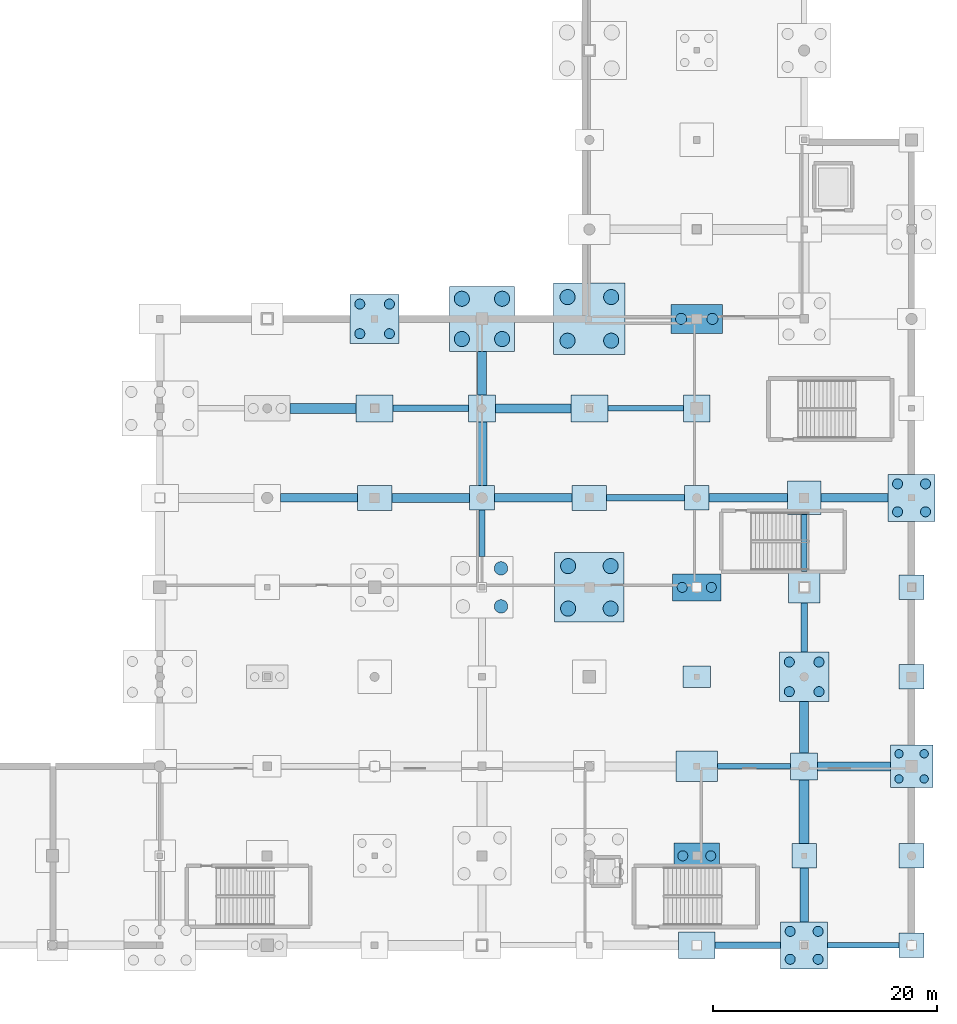
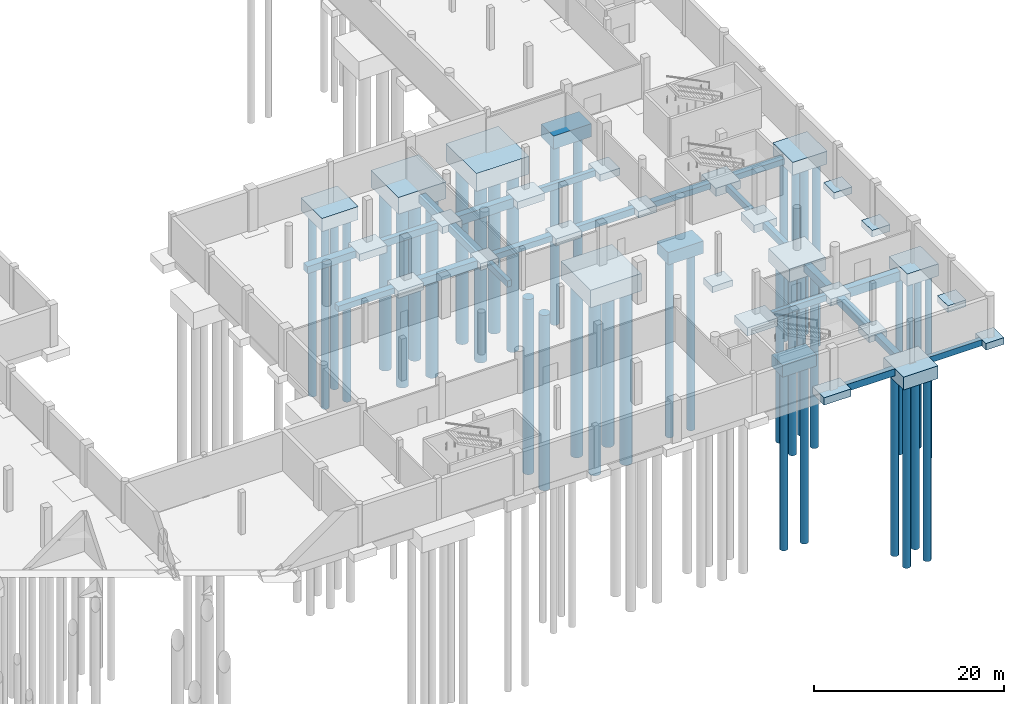
# One storey, part 11 of 44: 52 footings, 40 piles.
"""IFC4 building model written with IfcOpenShell, lengths in metres."""

from ifc_helpers import new_model, si_unit, direction, frame, origin, origin_2d, place, context, subcontext, project, spatial, rectangle, circle, extrude, material, material_profile, profile_set, type_object, element, save


model = new_model("IFC4")

# Units and contexts
model_context = context("Model", 3, precision=1e-05, world=origin(), true_north=direction((0.0, 1.0)))
body_context = subcontext(model_context, "Body", "Model", "MODEL_VIEW")
ifc_project = project(units=[si_unit("LENGTHUNIT", "METRE"), si_unit("AREAUNIT", "SQUARE_METRE"), si_unit("VOLUMEUNIT", "CUBIC_METRE"), si_unit("PLANEANGLEUNIT", "RADIAN"), si_unit("MASSUNIT", "GRAM", prefix="KILO")], contexts=[model_context])

# Site, building, storey
site_placement = place(None, origin())
site = spatial("IfcSite", under=ifc_project, at=site_placement, CompositionType="ELEMENT")
building_placement = place(site_placement, origin())
building = spatial("IfcBuilding", under=site, at=building_placement, Name="Danafjord Basin Convention Centre", CompositionType="ELEMENT")
storey_placement = place(building_placement, frame((0.0, 0.0, -5.39990234375)))
storey = spatial("IfcBuildingStorey", under=building, at=storey_placement, Name="B1", CompositionType="ELEMENT", Elevation=-5.39990234375)

# Footings
ifc_material_1 = material(Name="Concrete C40/50", Category="concrete")
footing_type_1 = type_object("IfcFootingType", Name="CAP-PC-03", PredefinedType="PILE_CAP", material=ifc_material_1)
footing_1_placement = place(storey_placement, frame((192.0, 16.0, -2.10009765625), z_axis=(0.0, 0.0, 1.0), x_axis=(1.0, 0.0, 0.0)))
element("IfcFooting", 1, at=footing_1_placement, inside=storey, type_object=footing_type_1, Name="B1 pile cap PC-03 at (192.0, 16.0)", PredefinedType="PILE_CAP", context=body_context, shape_type="SweptSolid", body=[
    extrude(rectangle(XDim=4.10009765625, YDim=2.300048828125, at=origin_2d()), origin(), (0.0, 0.0, 1.0), 1.550048828125),
])
footing_type_2 = type_object("IfcFootingType", Name="CAP-PC-04", PredefinedType="PILE_CAP", material=ifc_material_1)
footing_2_placement = place(storey_placement, frame((192.0, 40.0, -2.150146484375), z_axis=(0.0, 0.0, 1.0), x_axis=(1.0, 0.0, 0.0)))
element("IfcFooting", 2, at=footing_2_placement, inside=storey, type_object=footing_type_2, Name="B1 pile cap PC-04 at (192.0, 40.0)", PredefinedType="PILE_CAP", context=body_context, shape_type="SweptSolid", body=[
    extrude(rectangle(XDim=4.300048828125, YDim=2.39990234375, at=origin_2d()), origin(), (0.0, 0.0, 1.0), 1.60009765625),
])
footing_type_3 = type_object("IfcFootingType", Name="CAP-PC-05", PredefinedType="PILE_CAP", material=ifc_material_1)
footing_3_placement = place(storey_placement, frame((192.0, 64.0, -1.7001953125), z_axis=(0.0, 0.0, 1.0), x_axis=(1.0, 0.0, 0.0)))
element("IfcFooting", 3, at=footing_3_placement, inside=storey, type_object=footing_type_3, Name="B1 pile cap PC-05 at (192.0, 64.0)", PredefinedType="PILE_CAP", context=body_context, shape_type="SweptSolid", body=[
    extrude(rectangle(XDim=4.60009765625, YDim=2.60009765625, at=origin_2d()), origin(), (0.0, 0.0, 1.0), 1.699951171875),
])
footing_type_4 = type_object("IfcFootingType", Name="CAP-PC-07", PredefinedType="PILE_CAP", material=ifc_material_1)
footing_4_placement = place(storey_placement, frame((211.199951171875, 24.0, -1.55029296875), z_axis=(0.0, 0.0, 1.0), x_axis=(1.0, 0.0, 0.0)))
element("IfcFooting", 4, at=footing_4_placement, inside=storey, type_object=footing_type_4, Name="B1 pile cap PC-07 at (211.2, 24.0)", PredefinedType="PILE_CAP", context=body_context, shape_type="SweptSolid", body=[
    extrude(rectangle(XDim=3.800048828125, YDim=3.800048828125, at=origin_2d()), origin(), (0.0, 0.0, 1.0), 1.550048828125),
])
footing_type_5 = type_object("IfcFootingType", Name="CAP-PC-08", PredefinedType="PILE_CAP", material=ifc_material_1)
for number, where, z_axis, x_axis, name in (
    (5, (201.60009765625, 8.0, -1.650146484375), (0.0, 0.0, 1.0), (1.0, 0.0, 0.0), "B1 pile cap PC-08 at (201.6, 8.0)"),
    (6, (211.199951171875, 48.0, -1.650146484375), (0.0, 0.0, 1.0), (1.0, 0.0, 0.0), "B1 pile cap PC-08 at (211.2, 48.0)"),
):
    element("IfcFooting", number, at=place(storey_placement, frame(where, z_axis=z_axis, x_axis=x_axis)), inside=storey, type_object=footing_type_5, Name=name, PredefinedType="PILE_CAP", context=body_context, shape_type="SweptSolid", body=[
        extrude(rectangle(XDim=4.199951171875, YDim=4.199951171875, at=origin_2d()), origin(), (0.0, 0.0, 1.0), 1.64990234375),
    ])
footing_type_6 = type_object("IfcFootingType", Name="CAP-PC-09", PredefinedType="PILE_CAP", material=ifc_material_1)
for number, where, z_axis, x_axis, name in (
    (7, (163.199951171875, 64.0, -1.7001953125), (0.0, 0.0, 1.0), (1.0, 0.0, 0.0), "B1 pile cap PC-09 at (163.2, 64.0)"),
    (8, (201.60009765625, 32.0, -2.25), (0.0, 0.0, 1.0), (1.0, 0.0, 0.0), "B1 pile cap PC-09 at (201.6, 32.0)"),
):
    element("IfcFooting", number, at=place(storey_placement, frame(where, z_axis=z_axis, x_axis=x_axis)), inside=storey, type_object=footing_type_6, Name=name, PredefinedType="PILE_CAP", context=body_context, shape_type="SweptSolid", body=[
        extrude(rectangle(XDim=4.39990234375, YDim=4.39990234375, at=origin_2d()), origin(), (0.0, 0.0, 1.0), 1.699951171875),
    ])
footing_type_7 = type_object("IfcFootingType", Name="CAP-PC-15", PredefinedType="PILE_CAP", material=ifc_material_1)
footing_5_placement = place(storey_placement, frame((172.800048828125, 64.0, -2.150146484375), z_axis=(0.0, 0.0, 1.0), x_axis=(1.0, 0.0, 0.0)))
element("IfcFooting", 9, at=footing_5_placement, inside=storey, type_object=footing_type_7, Name="B1 pile cap PC-15 at (172.8, 64.0)", PredefinedType="PILE_CAP", context=body_context, shape_type="SweptSolid", body=[
    extrude(rectangle(XDim=5.800048828125, YDim=5.800048828125, at=origin_2d()), origin(), (0.0, 0.0, 1.0), 2.14990234375),
])
footing_type_8 = type_object("IfcFootingType", Name="CAP-PC-20", PredefinedType="PILE_CAP", material=ifc_material_1)
footing_6_placement = place(storey_placement, frame((182.39990234375, 40.0, -2.800048828125), z_axis=(0.0, 0.0, 1.0), x_axis=(1.0, 0.0, 0.0)))
element("IfcFooting", 10, at=footing_6_placement, inside=storey, type_object=footing_type_8, Name="B1 pile cap PC-20 at (182.4, 40.0)", PredefinedType="PILE_CAP", context=body_context, shape_type="SweptSolid", body=[
    extrude(rectangle(XDim=6.199951171875, YDim=6.199951171875, at=origin_2d()), origin(), (0.0, 0.0, 1.0), 2.25),
])
footing_type_9 = type_object("IfcFootingType", Name="CAP-PC-21", PredefinedType="PILE_CAP", material=ifc_material_1)
footing_7_placement = place(storey_placement, frame((182.39990234375, 64.0, -2.30029296875), z_axis=(0.0, 0.0, 1.0), x_axis=(1.0, 0.0, 0.0)))
element("IfcFooting", 11, at=footing_7_placement, inside=storey, type_object=footing_type_9, Name="B1 pile cap PC-21 at (182.4, 64.0)", PredefinedType="PILE_CAP", context=body_context, shape_type="SweptSolid", body=[
    extrude(rectangle(XDim=6.39990234375, YDim=6.39990234375, at=origin_2d()), origin(), (0.0, 0.0, 1.0), 2.300048828125),
])
ifc_material_profile_1 = material_profile(ifc_material_1, rectangle(XDim=0.800048828125, YDim=1.0, at=origin_2d()), Name="GB 800x1000")
ifc_profile_set_1 = profile_set([ifc_material_profile_1], Name="Concrete C40/50")
footing_type_10 = type_object("IfcFootingType", Name="FBM-FB-01", PredefinedType="FOOTING_BEAM", material=ifc_profile_set_1)
footing_8_placement = place(storey_placement, frame((164.75, 48.0, -1.050048828125), z_axis=(1.0, 0.0, 0.0), x_axis=(0.0, 1.0, 0.0)))
element("IfcFooting", 12, at=footing_8_placement, inside=storey, type_object=footing_type_10, Name="B1 foundation beam FB-01", PredefinedType="FOOTING_BEAM", context=body_context, shape_type="SweptSolid", body=[
    extrude(rectangle(XDim=0.800048828125, YDim=1.0, at=origin_2d()), origin(), (0.0, 0.0, 1.0), 6.949951171875),
])
footing_9_placement = place(storey_placement, frame((172.800048828125, 57.199951171875, -1.050048828125), z_axis=(0.0, 1.0, 0.0), x_axis=(-1.0, 0.0, 0.0)))
element("IfcFooting", 13, at=footing_9_placement, inside=storey, type_object=footing_type_10, Name="B1 foundation tie beam FB-01", PredefinedType="FOOTING_BEAM", context=body_context, shape_type="SweptSolid", body=[
    extrude(rectangle(XDim=0.800048828125, YDim=1.0, at=origin_2d()), origin(), (0.0, 0.0, 1.0), 3.900146484375),
])
footing_10_placement = place(storey_placement, frame((201.60009765625, 25.199951171875, -1.050048828125), z_axis=(0.0, 1.0, 0.0), x_axis=(-1.0, 0.0, 0.0)))
element("IfcFooting", 14, at=footing_10_placement, inside=storey, type_object=footing_type_10, Name="B1 foundation tie beam FB-01", PredefinedType="FOOTING_BEAM", context=body_context, shape_type="SweptSolid", body=[
    extrude(rectangle(XDim=0.800048828125, YDim=1.0, at=origin_2d()), origin(), (0.0, 0.0, 1.0), 4.60009765625),
])
ifc_material_profile_2 = material_profile(ifc_material_1, rectangle(XDim=0.60009765625, YDim=0.89990234375, at=origin_2d()), Name="GB 600x900")
ifc_profile_set_2 = profile_set([ifc_material_profile_2], Name="Concrete C40/50")
footing_type_11 = type_object("IfcFootingType", Name="FBM-FB-02", PredefinedType="FOOTING_BEAM", material=ifc_profile_set_2)
footing_11_placement = place(storey_placement, frame((164.85009765625, 56.0, -1.0), z_axis=(1.0, 0.0, 0.0), x_axis=(0.0, 1.0, 0.0)))
element("IfcFooting", 15, at=footing_11_placement, inside=storey, type_object=footing_type_11, Name="B1 foundation beam FB-02", PredefinedType="FOOTING_BEAM", context=body_context, shape_type="SweptSolid", body=[
    extrude(rectangle(XDim=0.60009765625, YDim=0.89990234375, at=origin_2d()), origin(), (0.0, 0.0, 1.0), 6.75),
])
footing_12_placement = place(storey_placement, frame((183.949951171875, 48.0, -1.0), z_axis=(1.0, 0.0, 0.0), x_axis=(0.0, 1.0, 0.0)))
element("IfcFooting", 16, at=footing_12_placement, inside=storey, type_object=footing_type_11, Name="B1 foundation beam FB-02", PredefinedType="FOOTING_BEAM", context=body_context, shape_type="SweptSolid", body=[
    extrude(rectangle(XDim=0.60009765625, YDim=0.89990234375, at=origin_2d()), origin(), (0.0, 0.0, 1.0), 6.949951171875),
])
footing_13_placement = place(storey_placement, frame((193.64990234375, 8.0, -0.4501953125), z_axis=(1.0, 0.0, 0.0), x_axis=(0.0, 1.0, 0.0)))
element("IfcFooting", 17, at=footing_13_placement, inside=storey, type_object=footing_type_11, Name="B1 foundation beam FB-02", PredefinedType="FOOTING_BEAM", context=body_context, shape_type="SweptSolid", body=[
    extrude(rectangle(XDim=0.60009765625, YDim=0.89990234375, at=origin_2d()), origin(), (0.0, 0.0, 1.0), 5.85009765625),
])
footing_14_placement = place(storey_placement, frame((201.60009765625, 34.199951171875, -1.0), z_axis=(0.0, 1.0, 0.0), x_axis=(-1.0, 0.0, 0.0)))
element("IfcFooting", 18, at=footing_14_placement, inside=storey, type_object=footing_type_11, Name="B1 foundation tie beam FB-02", PredefinedType="FOOTING_BEAM", context=body_context, shape_type="SweptSolid", body=[
    extrude(rectangle(XDim=0.60009765625, YDim=0.89990234375, at=origin_2d()), origin(), (0.0, 0.0, 1.0), 4.400146484375),
])
ifc_material_profile_3 = material_profile(ifc_material_1, rectangle(XDim=0.5, YDim=0.800048828125, at=origin_2d()), Name="PCB 500x800")
ifc_profile_set_3 = profile_set([ifc_material_profile_3], Name="Concrete C40/50")
footing_type_12 = type_object("IfcFootingType", Name="FBM-FB-03", PredefinedType="FOOTING_BEAM", material=ifc_profile_set_3)
footing_15_placement = place(storey_placement, frame((172.800048828125, 42.75, -0.9501953125), z_axis=(0.0, 1.0, 0.0), x_axis=(-1.0, 0.0, 0.0)))
element("IfcFooting", 19, at=footing_15_placement, inside=storey, type_object=footing_type_12, Name="B1 foundation tie beam FB-03", PredefinedType="FOOTING_BEAM", context=body_context, shape_type="SweptSolid", body=[
    extrude(rectangle(XDim=0.5, YDim=0.800048828125, at=origin_2d()), origin(), (0.0, 0.0, 1.0), 4.14990234375),
])
footing_16_placement = place(storey_placement, frame((184.050048828125, 56.0, -0.9501953125), z_axis=(1.0, 0.0, 0.0), x_axis=(0.0, 1.0, 0.0)))
element("IfcFooting", 20, at=footing_16_placement, inside=storey, type_object=footing_type_12, Name="B1 foundation beam FB-03", PredefinedType="FOOTING_BEAM", context=body_context, shape_type="SweptSolid", body=[
    extrude(rectangle(XDim=0.5, YDim=0.800048828125, at=origin_2d()), origin(), (0.0, 0.0, 1.0), 6.75),
])
footing_17_placement = place(storey_placement, frame((193.85009765625, 24.0, -0.9501953125), z_axis=(1.0, 0.0, 0.0), x_axis=(0.0, 1.0, 0.0)))
element("IfcFooting", 21, at=footing_17_placement, inside=storey, type_object=footing_type_12, Name="B1 foundation beam FB-03", PredefinedType="FOOTING_BEAM", context=body_context, shape_type="SweptSolid", body=[
    extrude(rectangle(XDim=0.5, YDim=0.800048828125, at=origin_2d()), origin(), (0.0, 0.0, 1.0), 6.5498046875),
])
footing_18_placement = place(storey_placement, frame((203.699951171875, 8.0, -0.400146484375), z_axis=(1.0, 0.0, 0.0), x_axis=(0.0, 1.0, 0.0)))
element("IfcFooting", 22, at=footing_18_placement, inside=storey, type_object=footing_type_12, Name="B1 foundation beam FB-03", PredefinedType="FOOTING_BEAM", context=body_context, shape_type="SweptSolid", body=[
    extrude(rectangle(XDim=0.5, YDim=0.800048828125, at=origin_2d()), origin(), (0.0, 0.0, 1.0), 6.400146484375),
])
footing_19_placement = place(storey_placement, frame((201.60009765625, 41.39990234375, -0.9501953125), z_axis=(0.0, 1.0, 0.0), x_axis=(-1.0, 0.0, 0.0)))
element("IfcFooting", 23, at=footing_19_placement, inside=storey, type_object=footing_type_12, Name="B1 foundation tie beam FB-03", PredefinedType="FOOTING_BEAM", context=body_context, shape_type="SweptSolid", body=[
    extrude(rectangle(XDim=0.5, YDim=0.800048828125, at=origin_2d()), origin(), (0.0, 0.0, 1.0), 5.10009765625),
])
ifc_material_profile_4 = material_profile(ifc_material_1, rectangle(XDim=0.75, YDim=0.75, at=origin_2d()), Name="RC 750x750")
ifc_profile_set_4 = profile_set([ifc_material_profile_4], Name="Concrete C40/50")
footing_type_13 = type_object("IfcFootingType", Name="FBM-FB-04", PredefinedType="FOOTING_BEAM", material=ifc_profile_set_4)
footing_20_placement = place(storey_placement, frame((154.800048828125, 48.0, -0.925048828125), z_axis=(1.0, 0.0, 0.0), x_axis=(0.0, 1.0, 0.0)))
element("IfcFooting", 24, at=footing_20_placement, inside=storey, type_object=footing_type_13, Name="B1 foundation beam FB-04", PredefinedType="FOOTING_BEAM", context=body_context, shape_type="SweptSolid", body=[
    extrude(rectangle(XDim=0.75, YDim=0.75, at=origin_2d()), origin(), (0.0, 0.0, 1.0), 6.849853515625),
])
footing_21_placement = place(storey_placement, frame((173.89990234375, 48.0, -0.925048828125), z_axis=(1.0, 0.0, 0.0), x_axis=(0.0, 1.0, 0.0)))
element("IfcFooting", 25, at=footing_21_placement, inside=storey, type_object=footing_type_13, Name="B1 foundation beam FB-04", PredefinedType="FOOTING_BEAM", context=body_context, shape_type="SweptSolid", body=[
    extrude(rectangle(XDim=0.75, YDim=0.75, at=origin_2d()), origin(), (0.0, 0.0, 1.0), 6.9501953125),
])
footing_22_placement = place(storey_placement, frame((193.10009765625, 48.0, -0.925048828125), z_axis=(1.0, 0.0, 0.0), x_axis=(0.0, 1.0, 0.0)))
element("IfcFooting", 26, at=footing_22_placement, inside=storey, type_object=footing_type_13, Name="B1 foundation beam FB-04", PredefinedType="FOOTING_BEAM", context=body_context, shape_type="SweptSolid", body=[
    extrude(rectangle(XDim=0.75, YDim=0.75, at=origin_2d()), origin(), (0.0, 0.0, 1.0), 7.0),
])
footing_23_placement = place(storey_placement, frame((201.60009765625, 10.10009765625, -0.925048828125), z_axis=(0.0, 1.0, 0.0), x_axis=(-1.0, 0.0, 0.0)))
element("IfcFooting", 27, at=footing_23_placement, inside=storey, type_object=footing_type_13, Name="B1 foundation tie beam FB-04", PredefinedType="FOOTING_BEAM", context=body_context, shape_type="SweptSolid", body=[
    extrude(rectangle(XDim=0.75, YDim=0.75, at=origin_2d()), origin(), (0.0, 0.0, 1.0), 4.7998046875),
])
footing_24_placement = place(storey_placement, frame((203.10009765625, 48.0, -0.925048828125), z_axis=(1.0, 0.0, 0.0), x_axis=(0.0, 1.0, 0.0)))
element("IfcFooting", 28, at=footing_24_placement, inside=storey, type_object=footing_type_13, Name="B1 foundation beam FB-04", PredefinedType="FOOTING_BEAM", context=body_context, shape_type="SweptSolid", body=[
    extrude(rectangle(XDim=0.75, YDim=0.75, at=origin_2d()), origin(), (0.0, 0.0, 1.0), 6.0),
])
ifc_material_profile_5 = material_profile(ifc_material_1, rectangle(XDim=0.89990234375, YDim=0.89990234375, at=origin_2d()), Name="RC 900x900")
ifc_profile_set_5 = profile_set([ifc_material_profile_5], Name="Concrete C40/50")
footing_type_14 = type_object("IfcFootingType", Name="FBM-FB-05", PredefinedType="FOOTING_BEAM", material=ifc_profile_set_5)
footing_25_placement = place(storey_placement, frame((155.64990234375, 56.0, -1.0), z_axis=(1.0, 0.0, 0.0), x_axis=(0.0, 1.0, 0.0)))
element("IfcFooting", 29, at=footing_25_placement, inside=storey, type_object=footing_type_14, Name="B1 foundation beam FB-05", PredefinedType="FOOTING_BEAM", context=body_context, shape_type="SweptSolid", body=[
    extrude(rectangle(XDim=0.89990234375, YDim=0.89990234375, at=origin_2d()), origin(), (0.0, 0.0, 1.0), 5.900146484375),
])
for number, where, z_axis, x_axis, name in (
    (30, (172.800048828125, 49.10009765625, -1.0), (0.0, 1.0, 0.0), (-1.0, 0.0, 0.0), "B1 foundation tie beam FB-05"),
    (31, (201.60009765625, 17.10009765625, -1.0), (0.0, 1.0, 0.0), (-1.0, 0.0, 0.0), "B1 foundation tie beam FB-05"),
):
    element("IfcFooting", number, at=place(storey_placement, frame(where, z_axis=z_axis, x_axis=x_axis)), inside=storey, type_object=footing_type_14, Name=name, PredefinedType="FOOTING_BEAM", context=body_context, shape_type="SweptSolid", body=[
        extrude(rectangle(XDim=0.89990234375, YDim=0.89990234375, at=origin_2d()), origin(), (0.0, 0.0, 1.0), 5.699951171875),
    ])
ifc_material_profile_6 = material_profile(ifc_material_1, rectangle(XDim=0.800048828125, YDim=1.199951171875, at=origin_2d()), Name="RC 1200x800")
ifc_profile_set_6 = profile_set([ifc_material_profile_6], Name="Concrete C40/50")
footing_type_15 = type_object("IfcFootingType", Name="FBM-FB-06", PredefinedType="FOOTING_BEAM", material=ifc_profile_set_6)
footing_26_placement = place(storey_placement, frame((174.0, 56.0, -1.150146484375), z_axis=(1.0, 0.0, 0.0), x_axis=(0.0, 1.0, 0.0)))
element("IfcFooting", 32, at=footing_26_placement, inside=storey, type_object=footing_type_15, Name="B1 foundation beam FB-06", PredefinedType="FOOTING_BEAM", context=body_context, shape_type="SweptSolid", body=[
    extrude(rectangle(XDim=0.800048828125, YDim=1.199951171875, at=origin_2d()), origin(), (0.0, 0.0, 1.0), 6.75),
])
footing_27_placement = place(storey_placement, frame((202.800048828125, 24.0, -1.150146484375), z_axis=(1.0, 0.0, 0.0), x_axis=(0.0, 1.0, 0.0)))
element("IfcFooting", 33, at=footing_27_placement, inside=storey, type_object=footing_type_15, Name="B1 foundation beam FB-06", PredefinedType="FOOTING_BEAM", context=body_context, shape_type="SweptSolid", body=[
    extrude(rectangle(XDim=0.800048828125, YDim=1.199951171875, at=origin_2d()), origin(), (0.0, 0.0, 1.0), 6.5),
])
ifc_material_2 = material(Name="Concrete C35/45", Category="concrete")
footing_type_16 = type_object("IfcFootingType", Name="PAD-PF-02", PredefinedType="PAD_FOOTING", material=ifc_material_2)
for number, where, z_axis, x_axis, name in (
    (34, (172.800048828125, 48.0, -1.400146484375), (0.0, 0.0, 1.0), (1.0, 0.0, 0.0), "B1 pad footing PF-02 at (172.8, 48.0)"),
    (35, (192.0, 48.0, -1.400146484375), (0.0, 0.0, 1.0), (1.0, 0.0, 0.0), "B1 pad footing PF-02 at (192.0, 48.0)"),
    (36, (201.60009765625, 16.0, -1.400146484375), (0.0, 0.0, 1.0), (1.0, 0.0, 0.0), "B1 pad footing PF-02 at (201.6, 16.0)"),
    (37, (211.199951171875, 8.0, -0.85009765625), (0.0, 0.0, 1.0), (1.0, 0.0, 0.0), "B1 pad footing PF-02 at (211.2, 8.0)"),
    (38, (211.199951171875, 16.0, -0.85009765625), (0.0, 0.0, 1.0), (1.0, 0.0, 0.0), "B1 pad footing PF-02 at (211.2, 16.0)"),
    (39, (211.199951171875, 32.0, -0.85009765625), (0.0, 0.0, 1.0), (1.0, 0.0, 0.0), "B1 pad footing PF-02 at (211.2, 32.0)"),
    (40, (211.199951171875, 40.0, -0.85009765625), (0.0, 0.0, 1.0), (1.0, 0.0, 0.0), "B1 pad footing PF-02 at (211.2, 40.0)"),
):
    element("IfcFooting", number, at=place(storey_placement, frame(where, z_axis=z_axis, x_axis=x_axis)), inside=storey, type_object=footing_type_16, Name=name, PredefinedType="PAD_FOOTING", context=body_context, shape_type="SweptSolid", body=[
        extrude(rectangle(XDim=2.199951171875, YDim=2.199951171875, at=origin_2d()), origin(), (0.0, 0.0, 1.0), 0.85009765625),
    ])
footing_type_17 = type_object("IfcFootingType", Name="PAD-PF-03", PredefinedType="PAD_FOOTING", material=ifc_material_2)
for number, where, z_axis, x_axis, name in (
    (41, (172.800048828125, 56.0, -1.449951171875), (0.0, 0.0, 1.0), (1.0, 0.0, 0.0), "B1 pad footing PF-03 at (172.8, 56.0)"),
    (42, (192.0, 56.0, -1.449951171875), (0.0, 0.0, 1.0), (1.0, 0.0, 0.0), "B1 pad footing PF-03 at (192.0, 56.0)"),
    (43, (201.60009765625, 24.0, -1.449951171875), (0.0, 0.0, 1.0), (1.0, 0.0, 0.0), "B1 pad footing PF-03 at (201.6, 24.0)"),
):
    element("IfcFooting", number, at=place(storey_placement, frame(where, z_axis=z_axis, x_axis=x_axis)), inside=storey, type_object=footing_type_17, Name=name, PredefinedType="PAD_FOOTING", context=body_context, shape_type="SweptSolid", body=[
        extrude(rectangle(XDim=2.39990234375, YDim=2.39990234375, at=origin_2d()), origin(), (0.0, 0.0, 1.0), 0.89990234375),
    ])
footing_type_18 = type_object("IfcFootingType", Name="PAD-PF-05", PredefinedType="PAD_FOOTING", material=ifc_material_2)
footing_28_placement = place(storey_placement, frame((201.60009765625, 40.0, -1.550048828125), z_axis=(0.0, 0.0, 1.0), x_axis=(1.0, 0.0, 0.0)))
element("IfcFooting", 44, at=footing_28_placement, inside=storey, type_object=footing_type_18, Name="B1 pad footing PF-05 at (201.6, 40.0)", PredefinedType="PAD_FOOTING", context=body_context, shape_type="SweptSolid", body=[
    extrude(rectangle(XDim=2.800048828125, YDim=2.800048828125, at=origin_2d()), origin(), (0.0, 0.0, 1.0), 1.0),
])
footing_type_19 = type_object("IfcFootingType", Name="PAD-PF-06", PredefinedType="PAD_FOOTING", material=ifc_material_2)
footing_29_placement = place(storey_placement, frame((201.60009765625, 48.0, -1.60009765625), z_axis=(0.0, 0.0, 1.0), x_axis=(1.0, 0.0, 0.0)))
element("IfcFooting", 45, at=footing_29_placement, inside=storey, type_object=footing_type_19, Name="B1 pad footing PF-06 at (201.6, 48.0)", PredefinedType="PAD_FOOTING", context=body_context, shape_type="SweptSolid", body=[
    extrude(rectangle(XDim=3.0, YDim=3.0, at=origin_2d()), origin(), (0.0, 0.0, 1.0), 1.050048828125),
])
footing_type_20 = type_object("IfcFootingType", Name="PAD-PF-08", PredefinedType="PAD_FOOTING", material=ifc_material_2)
for number, where, z_axis, x_axis, name in (
    (46, (163.199951171875, 48.0, -1.449951171875), (0.0, 0.0, 1.0), (1.0, 0.0, 0.0), "B1 pad footing PF-08 at (163.2, 48.0)"),
    (47, (182.39990234375, 48.0, -1.449951171875), (0.0, 0.0, 1.0), (1.0, 0.0, 0.0), "B1 pad footing PF-08 at (182.4, 48.0)"),
):
    element("IfcFooting", number, at=place(storey_placement, frame(where, z_axis=z_axis, x_axis=x_axis)), inside=storey, type_object=footing_type_20, Name=name, PredefinedType="PAD_FOOTING", context=body_context, shape_type="SweptSolid", body=[
        extrude(rectangle(XDim=3.10009765625, YDim=2.25, at=origin_2d()), origin(), (0.0, 0.0, 1.0), 0.89990234375),
    ])
footing_type_21 = type_object("IfcFootingType", Name="PAD-PF-09", PredefinedType="PAD_FOOTING", material=ifc_material_2)
for number, where, z_axis, x_axis, name in (
    (48, (163.199951171875, 56.0, -1.5), (0.0, 0.0, 1.0), (1.0, 0.0, 0.0), "B1 pad footing PF-09 at (163.2, 56.0)"),
    (49, (182.39990234375, 56.0, -1.5), (0.0, 0.0, 1.0), (1.0, 0.0, 0.0), "B1 pad footing PF-09 at (182.4, 56.0)"),
    (50, (192.0, 8.0, -0.9501953125), (0.0, 0.0, 1.0), (1.0, 0.0, 0.0), "B1 pad footing PF-09 at (192.0, 8.0)"),
):
    element("IfcFooting", number, at=place(storey_placement, frame(where, z_axis=z_axis, x_axis=x_axis)), inside=storey, type_object=footing_type_21, Name=name, PredefinedType="PAD_FOOTING", context=body_context, shape_type="SweptSolid", body=[
        extrude(rectangle(XDim=3.300048828125, YDim=2.39990234375, at=origin_2d()), origin(), (0.0, 0.0, 1.0), 0.949951171875),
    ])
footing_type_22 = type_object("IfcFootingType", Name="PAD-PF-11", PredefinedType="PAD_FOOTING", material=ifc_material_2)
footing_30_placement = place(storey_placement, frame((192.0, 24.0, -1.60009765625), z_axis=(0.0, 0.0, 1.0), x_axis=(1.0, 0.0, 0.0)))
element("IfcFooting", 51, at=footing_30_placement, inside=storey, type_object=footing_type_22, Name="B1 pad footing PF-11 at (192.0, 24.0)", PredefinedType="PAD_FOOTING", context=body_context, shape_type="SweptSolid", body=[
    extrude(rectangle(XDim=3.699951171875, YDim=2.699951171875, at=origin_2d()), origin(), (0.0, 0.0, 1.0), 1.050048828125),
])
footing_type_23 = type_object("IfcFootingType", Name="PAD-PF-12", PredefinedType="PAD_FOOTING", material=ifc_material_2)
footing_31_placement = place(storey_placement, frame((192.0, 32.0, -1.35009765625), z_axis=(0.0, 0.0, 1.0), x_axis=(1.0, 0.0, 0.0)))
element("IfcFooting", 52, at=footing_31_placement, inside=storey, type_object=footing_type_23, Name="B1 pad footing PF-12 at (192.0, 32.0)", PredefinedType="PAD_FOOTING", context=body_context, shape_type="SweptSolid", body=[
    extrude(rectangle(XDim=2.5, YDim=1.89990234375, at=origin_2d()), origin(), (0.0, 0.0, 1.0), 0.800048828125),
])

# Piles
ifc_material_profile_7 = material_profile(ifc_material_1, circle(Radius=0.5, at=origin_2d()), Name="PILE D1000")
ifc_profile_set_7 = profile_set([ifc_material_profile_7], Name="Concrete C40/50")
pile_type_1 = type_object("IfcPileType", Name="PILE-PL-1000", PredefinedType="BORED", material=ifc_profile_set_7)
for number, where, z_axis, x_axis, name in (
    (53, (190.60009765625, 64.0, -1.60009765625), (0.0, 0.0, -1.0), (1.0, 0.0, 0.0), "PC-05 bored pile 1-1"),
    (54, (193.39990234375, 64.0, -1.60009765625), (0.0, 0.0, -1.0), (1.0, 0.0, 0.0), "PC-05 bored pile 2-1"),
):
    element("IfcPile", number, at=place(storey_placement, frame(where, z_axis=z_axis, x_axis=x_axis)), inside=storey, type_object=pile_type_1, Name=name, PredefinedType="BORED", context=body_context, shape_type="SweptSolid", body=[
        extrude(circle(Radius=0.5, at=origin_2d()), origin(), (0.0, 0.0, 1.0), 23.5),
    ])
ifc_material_profile_8 = material_profile(ifc_material_1, circle(Radius=0.60009765625, at=origin_2d()), Name="PILE D1200")
ifc_profile_set_8 = profile_set([ifc_material_profile_8], Name="Concrete C40/50")
pile_type_2 = type_object("IfcPileType", Name="PILE-PL-1200", PredefinedType="BORED", material=ifc_profile_set_8)
for number, where, z_axis, x_axis, name in (
    (55, (174.5, 38.300048828125, -2.550048828125), (0.0, 0.0, -1.0), (1.0, 0.0, 0.0), "PC-14 bored pile 2-1"),
    (56, (174.5, 41.699951171875, -2.550048828125), (0.0, 0.0, -1.0), (1.0, 0.0, 0.0), "PC-14 bored pile 2-2"),
):
    element("IfcPile", number, at=place(storey_placement, frame(where, z_axis=z_axis, x_axis=x_axis)), inside=storey, type_object=pile_type_2, Name=name, PredefinedType="BORED", context=body_context, shape_type="SweptSolid", body=[
        extrude(circle(Radius=0.60009765625, at=origin_2d()), origin(), (0.0, 0.0, 1.0), 22.550048828125),
    ])
ifc_material_profile_9 = material_profile(ifc_material_1, circle(Radius=0.675048828125, at=origin_2d()), Name="PILE D1350")
ifc_profile_set_9 = profile_set([ifc_material_profile_9], Name="Concrete C40/50")
pile_type_3 = type_object("IfcPileType", Name="PILE-PL-1350", PredefinedType="BORED", material=ifc_profile_set_9)
for number, where, z_axis, x_axis, name in (
    (57, (171.0, 62.199951171875, -2.050048828125), (0.0, 0.0, -1.0), (1.0, 0.0, 0.0), "PC-15 bored pile 1-1"),
    (58, (171.0, 65.800048828125, -2.050048828125), (0.0, 0.0, -1.0), (1.0, 0.0, 0.0), "PC-15 bored pile 1-2"),
    (59, (174.60009765625, 62.199951171875, -2.050048828125), (0.0, 0.0, -1.0), (1.0, 0.0, 0.0), "PC-15 bored pile 2-1"),
    (60, (174.60009765625, 65.800048828125, -2.050048828125), (0.0, 0.0, -1.0), (1.0, 0.0, 0.0), "PC-15 bored pile 2-2"),
):
    element("IfcPile", number, at=place(storey_placement, frame(where, z_axis=z_axis, x_axis=x_axis)), inside=storey, type_object=pile_type_3, Name=name, PredefinedType="BORED", context=body_context, shape_type="SweptSolid", body=[
        extrude(circle(Radius=0.675048828125, at=origin_2d()), origin(), (0.0, 0.0, 1.0), 23.050048828125),
    ])
for number, where, z_axis, x_axis, name in (
    (61, (180.5, 38.10009765625, -2.7001953125), (0.0, 0.0, -1.0), (1.0, 0.0, 0.0), "PC-20 bored pile 1-1"),
    (62, (180.5, 41.89990234375, -2.7001953125), (0.0, 0.0, -1.0), (1.0, 0.0, 0.0), "PC-20 bored pile 1-2"),
    (63, (184.300048828125, 38.10009765625, -2.7001953125), (0.0, 0.0, -1.0), (1.0, 0.0, 0.0), "PC-20 bored pile 2-1"),
    (64, (184.300048828125, 41.89990234375, -2.7001953125), (0.0, 0.0, -1.0), (1.0, 0.0, 0.0), "PC-20 bored pile 2-2"),
):
    element("IfcPile", number, at=place(storey_placement, frame(where, z_axis=z_axis, x_axis=x_axis)), inside=storey, type_object=pile_type_3, Name=name, PredefinedType="BORED", context=body_context, shape_type="SweptSolid", body=[
        extrude(circle(Radius=0.675048828125, at=origin_2d()), origin(), (0.0, 0.0, 1.0), 22.39990234375),
    ])
for number, where, z_axis, x_axis, name in (
    (65, (180.449951171875, 62.050048828125, -2.2001953125), (0.0, 0.0, -1.0), (1.0, 0.0, 0.0), "PC-21 bored pile 1-1"),
    (66, (180.449951171875, 65.949951171875, -2.2001953125), (0.0, 0.0, -1.0), (1.0, 0.0, 0.0), "PC-21 bored pile 1-2"),
    (67, (184.35009765625, 62.050048828125, -2.2001953125), (0.0, 0.0, -1.0), (1.0, 0.0, 0.0), "PC-21 bored pile 2-1"),
    (68, (184.35009765625, 65.949951171875, -2.2001953125), (0.0, 0.0, -1.0), (1.0, 0.0, 0.0), "PC-21 bored pile 2-2"),
):
    element("IfcPile", number, at=place(storey_placement, frame(where, z_axis=z_axis, x_axis=x_axis)), inside=storey, type_object=pile_type_3, Name=name, PredefinedType="BORED", context=body_context, shape_type="SweptSolid", body=[
        extrude(circle(Radius=0.675048828125, at=origin_2d()), origin(), (0.0, 0.0, 1.0), 22.89990234375),
    ])
ifc_material_profile_10 = material_profile(ifc_material_1, circle(Radius=0.375, at=origin_2d()), Name="PILE D750")
ifc_profile_set_10 = profile_set([ifc_material_profile_10], Name="Concrete C40/50")
pile_type_4 = type_object("IfcPileType", Name="PILE-PL-750", PredefinedType="BORED", material=ifc_profile_set_10)
for number, where, z_axis, x_axis, name in (
    (69, (210.074951171875, 22.875, -1.4501953125), (0.0, 0.0, -1.0), (1.0, 0.0, 0.0), "PC-07 bored pile 1-1"),
    (70, (210.074951171875, 25.125, -1.4501953125), (0.0, 0.0, -1.0), (1.0, 0.0, 0.0), "PC-07 bored pile 1-2"),
    (71, (212.324951171875, 22.875, -1.4501953125), (0.0, 0.0, -1.0), (1.0, 0.0, 0.0), "PC-07 bored pile 2-1"),
    (72, (212.324951171875, 25.125, -1.4501953125), (0.0, 0.0, -1.0), (1.0, 0.0, 0.0), "PC-07 bored pile 2-2"),
):
    element("IfcPile", number, at=place(storey_placement, frame(where, z_axis=z_axis, x_axis=x_axis)), inside=storey, type_object=pile_type_4, Name=name, PredefinedType="BORED", context=body_context, shape_type="SweptSolid", body=[
        extrude(circle(Radius=0.375, at=origin_2d()), origin(), (0.0, 0.0, 1.0), 23.64990234375),
    ])
ifc_material_profile_11 = material_profile(ifc_material_1, circle(Radius=0.449951171875, at=origin_2d()), Name="PILE D900")
ifc_profile_set_11 = profile_set([ifc_material_profile_11], Name="Concrete C40/50")
pile_type_5 = type_object("IfcPileType", Name="PILE-PL-900", PredefinedType="BORED", material=ifc_profile_set_11)
for number, where, z_axis, x_axis, name in (
    (73, (161.875, 62.675048828125, -1.60009765625), (0.0, 0.0, -1.0), (1.0, 0.0, 0.0), "PC-09 bored pile 1-1"),
    (74, (161.875, 65.324951171875, -1.60009765625), (0.0, 0.0, -1.0), (1.0, 0.0, 0.0), "PC-09 bored pile 1-2"),
    (75, (164.52490234375, 62.675048828125, -1.60009765625), (0.0, 0.0, -1.0), (1.0, 0.0, 0.0), "PC-09 bored pile 2-1"),
    (76, (164.52490234375, 65.324951171875, -1.60009765625), (0.0, 0.0, -1.0), (1.0, 0.0, 0.0), "PC-09 bored pile 2-2"),
):
    element("IfcPile", number, at=place(storey_placement, frame(where, z_axis=z_axis, x_axis=x_axis)), inside=storey, type_object=pile_type_5, Name=name, PredefinedType="BORED", context=body_context, shape_type="SweptSolid", body=[
        extrude(circle(Radius=0.449951171875, at=origin_2d()), origin(), (0.0, 0.0, 1.0), 23.5),
    ])
for number, where, z_axis, x_axis, name in (
    (77, (190.75, 16.0, -2.0), (0.0, 0.0, -1.0), (1.0, 0.0, 0.0), "PC-03 bored pile 1-1"),
    (78, (193.25, 16.0, -2.0), (0.0, 0.0, -1.0), (1.0, 0.0, 0.0), "PC-03 bored pile 2-1"),
):
    element("IfcPile", number, at=place(storey_placement, frame(where, z_axis=z_axis, x_axis=x_axis)), inside=storey, type_object=pile_type_5, Name=name, PredefinedType="BORED", context=body_context, shape_type="SweptSolid", body=[
        extrude(circle(Radius=0.449951171875, at=origin_2d()), origin(), (0.0, 0.0, 1.0), 23.10009765625),
    ])
for number, where, z_axis, x_axis, name in (
    (79, (190.699951171875, 40.0, -2.050048828125), (0.0, 0.0, -1.0), (1.0, 0.0, 0.0), "PC-04 bored pile 1-1"),
    (80, (193.300048828125, 40.0, -2.050048828125), (0.0, 0.0, -1.0), (1.0, 0.0, 0.0), "PC-04 bored pile 2-1"),
):
    element("IfcPile", number, at=place(storey_placement, frame(where, z_axis=z_axis, x_axis=x_axis)), inside=storey, type_object=pile_type_5, Name=name, PredefinedType="BORED", context=body_context, shape_type="SweptSolid", body=[
        extrude(circle(Radius=0.449951171875, at=origin_2d()), origin(), (0.0, 0.0, 1.0), 23.050048828125),
    ])
for number, where, z_axis, x_axis, name in (
    (81, (200.35009765625, 6.75, -1.550048828125), (0.0, 0.0, -1.0), (1.0, 0.0, 0.0), "PC-08 bored pile 1-1"),
    (82, (200.35009765625, 9.25, -1.550048828125), (0.0, 0.0, -1.0), (1.0, 0.0, 0.0), "PC-08 bored pile 1-2"),
    (83, (202.85009765625, 6.75, -1.550048828125), (0.0, 0.0, -1.0), (1.0, 0.0, 0.0), "PC-08 bored pile 2-1"),
    (84, (202.85009765625, 9.25, -1.550048828125), (0.0, 0.0, -1.0), (1.0, 0.0, 0.0), "PC-08 bored pile 2-2"),
):
    element("IfcPile", number, at=place(storey_placement, frame(where, z_axis=z_axis, x_axis=x_axis)), inside=storey, type_object=pile_type_5, Name=name, PredefinedType="BORED", context=body_context, shape_type="SweptSolid", body=[
        extrude(circle(Radius=0.449951171875, at=origin_2d()), origin(), (0.0, 0.0, 1.0), 23.550048828125),
    ])
for number, where, z_axis, x_axis, name in (
    (85, (200.27490234375, 30.675048828125, -2.150146484375), (0.0, 0.0, -1.0), (1.0, 0.0, 0.0), "PC-09 bored pile 1-1"),
    (86, (200.27490234375, 33.324951171875, -2.150146484375), (0.0, 0.0, -1.0), (1.0, 0.0, 0.0), "PC-09 bored pile 1-2"),
    (87, (202.925048828125, 30.675048828125, -2.150146484375), (0.0, 0.0, -1.0), (1.0, 0.0, 0.0), "PC-09 bored pile 2-1"),
    (88, (202.925048828125, 33.324951171875, -2.150146484375), (0.0, 0.0, -1.0), (1.0, 0.0, 0.0), "PC-09 bored pile 2-2"),
):
    element("IfcPile", number, at=place(storey_placement, frame(where, z_axis=z_axis, x_axis=x_axis)), inside=storey, type_object=pile_type_5, Name=name, PredefinedType="BORED", context=body_context, shape_type="SweptSolid", body=[
        extrude(circle(Radius=0.449951171875, at=origin_2d()), origin(), (0.0, 0.0, 1.0), 22.949951171875),
    ])
for number, where, z_axis, x_axis, name in (
    (89, (209.949951171875, 46.75, -1.550048828125), (0.0, 0.0, -1.0), (1.0, 0.0, 0.0), "PC-08 bored pile 1-1"),
    (90, (209.949951171875, 49.25, -1.550048828125), (0.0, 0.0, -1.0), (1.0, 0.0, 0.0), "PC-08 bored pile 1-2"),
    (91, (212.449951171875, 46.75, -1.550048828125), (0.0, 0.0, -1.0), (1.0, 0.0, 0.0), "PC-08 bored pile 2-1"),
    (92, (212.449951171875, 49.25, -1.550048828125), (0.0, 0.0, -1.0), (1.0, 0.0, 0.0), "PC-08 bored pile 2-2"),
):
    element("IfcPile", number, at=place(storey_placement, frame(where, z_axis=z_axis, x_axis=x_axis)), inside=storey, type_object=pile_type_5, Name=name, PredefinedType="BORED", context=body_context, shape_type="SweptSolid", body=[
        extrude(circle(Radius=0.449951171875, at=origin_2d()), origin(), (0.0, 0.0, 1.0), 23.550048828125),
    ])

save(model, "model.ifc")
